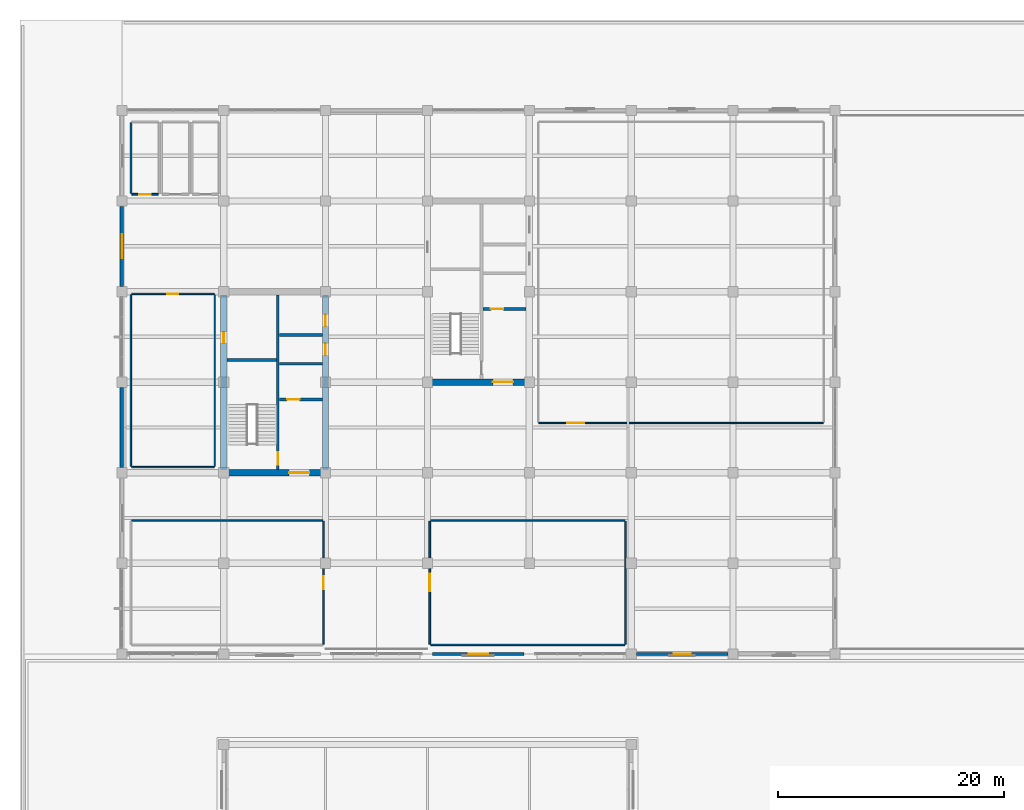
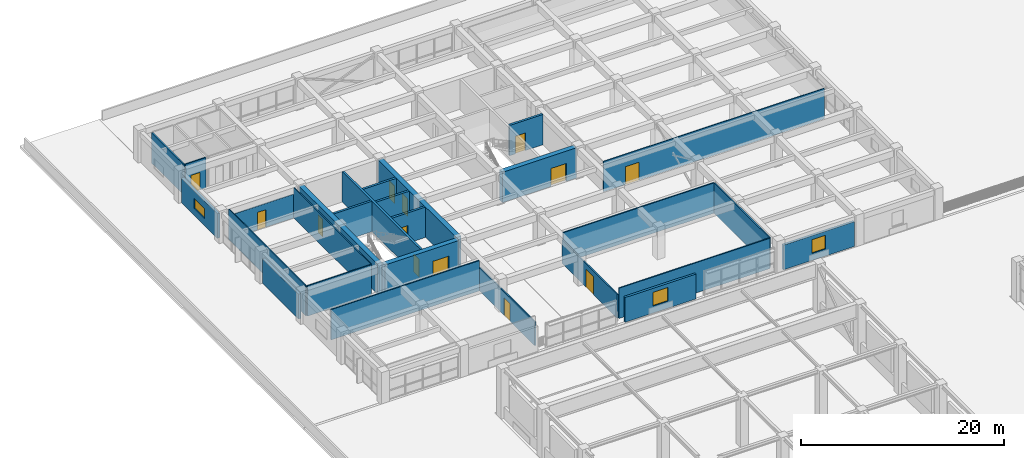
# One storey, part 20 of 34: 27 walls, 13 doors, 3 windows, 16 openings.
"""IFC4 building model written with IfcOpenShell, lengths in metres."""

import ifcopenshell
import ifcopenshell.guid

model = None  # the IFC model being written
_history = None  # IfcOwnerHistory: only IFC2X3 demands one
_inside = {}  # id of a spatial element -> (the spatial element, [elements in it])
_under = {}  # id of a project, library or spatial element -> (it, [spatial elements below it])
_declared = {}  # id of a project -> (the project, [libraries it declares])
_typed = {}  # id of a type object -> (the type object, [elements of that type])
_made_of = {}  # id of a material, layer set ... -> (it, [elements and type objects made of it])


def new_model(schema):
    """Start an empty IFC model of exactly this schema.

    Asked for "IFC4X3", IfcOpenShell would pick the latest addendum, in which some entities
    have other attributes; the version numbers below select the first issue.
    IFC2X3 requires an IfcOwnerHistory on every rooted entity: one is made here for all.
    """
    global model, _history
    if schema == "IFC4X3":
        model = ifcopenshell.file(schema_version=(4, 3, 0, 0))
    else:
        model = ifcopenshell.file(schema=schema)
    _inside.clear()
    _under.clear()
    _declared.clear()
    _typed.clear()
    _made_of.clear()
    _history = None
    if model.schema == "IFC2X3":
        org = make("IfcOrganization", Name="unknown")
        user = make(
            "IfcPersonAndOrganization",
            ThePerson=make("IfcPerson", FamilyName="unknown"),
            TheOrganization=org,
        )
        app = make(
            "IfcApplication",
            ApplicationDeveloper=org,
            Version="unknown",
            ApplicationFullName="unknown",
            ApplicationIdentifier="unknown",
        )
        _history = make(
            "IfcOwnerHistory",
            OwningUser=user,
            OwningApplication=app,
            ChangeAction="ADDED",
            CreationDate=0,
        )
    return model


def make(cls, **values):
    """One entity of the class cls with the attributes given. An attribute that is None is left unset."""
    return model.create_entity(
        cls, **{name: value for name, value in values.items() if value is not None}
    )


def rooted(cls, **values):
    """An entity with a GlobalId (a new one), such as an element, a storey or a relation."""
    return make(cls, GlobalId=ifcopenshell.guid.new(), OwnerHistory=_history, **values)


def si_unit(unit_type, name, prefix=None):
    """IfcSIUnit, for example si_unit("LENGTHUNIT", "METRE", prefix="MILLI")."""
    return make("IfcSIUnit", UnitType=unit_type, Prefix=prefix, Name=name)


def assignment(units):
    """IfcUnitAssignment: the units of a project."""
    return None if units is None else make("IfcUnitAssignment", Units=units)


def point(xyz):
    """IfcCartesianPoint."""
    return None if xyz is None else make("IfcCartesianPoint", Coordinates=xyz)


def direction(xyz):
    """IfcDirection."""
    return None if xyz is None else make("IfcDirection", DirectionRatios=xyz)


def frame(location, z_axis=None, x_axis=None):
    """IfcAxis2Placement3D, a coordinate frame: its origin and axes. An axis left out is left unset."""
    return make(
        "IfcAxis2Placement3D",
        Location=point(location),
        Axis=direction(z_axis),
        RefDirection=direction(x_axis),
    )


def frame_2d(location, x_axis=None):
    """IfcAxis2Placement2D, a coordinate frame in the plane: its origin and x axis."""
    return make(
        "IfcAxis2Placement2D", Location=point(location), RefDirection=direction(x_axis)
    )


def origin():
    """The frame at (0, 0, 0) with its axes left unset."""
    return frame((0.0, 0.0, 0.0))


def place(relative_to, where):
    """IfcLocalPlacement: puts the frame where relative to a parent placement (None: the world)."""
    return make(
        "IfcLocalPlacement", PlacementRelTo=relative_to, RelativePlacement=where
    )


def context(
    kind, dimensions, precision=None, world=None, true_north=None, identifier=None
):
    """IfcGeometricRepresentationContext, for example the 3D "Model" context."""
    return make(
        "IfcGeometricRepresentationContext",
        ContextIdentifier=identifier,
        ContextType=kind,
        CoordinateSpaceDimension=dimensions,
        Precision=precision,
        WorldCoordinateSystem=world,
        TrueNorth=true_north,
    )


def subcontext(parent, identifier, kind, view, scale=None):
    """IfcGeometricRepresentationSubContext, for example "Body" below "Model"."""
    return make(
        "IfcGeometricRepresentationSubContext",
        ContextIdentifier=identifier,
        ContextType=kind,
        ParentContext=parent,
        TargetScale=scale,
        TargetView=view,
    )


def project(units=None, contexts=None):
    """IfcProject with its units and contexts."""
    return rooted(
        "IfcProject",
        Name="project",
        RepresentationContexts=contexts,
        UnitsInContext=assignment(units),
    )


def spatial(cls, under=None, at=None, **own):
    """A site, building, storey or space (cls), placed at a placement, below another one or the project."""
    s = rooted(cls, ObjectPlacement=at, **own)
    if under is not None:
        _under.setdefault(under.id(), (under, []))[1].append(s)
    return s


def profile(cls, at=None, kind="AREA", **sizes):
    """A parametric profile (cls). Its sizes go by their IFC names, for example OverallWidth=200.0."""
    return make(cls, ProfileType=kind, Position=at, **sizes)


def rectangle(**sizes):
    """IfcRectangleProfileDef."""
    return profile("IfcRectangleProfileDef", **sizes)


def extrude(swept, where, along, depth):
    """IfcExtrudedAreaSolid: the profile swept, set in the frame where, extruded along a direction by depth."""
    return make(
        "IfcExtrudedAreaSolid",
        SweptArea=swept,
        Position=where,
        ExtrudedDirection=direction(along),
        Depth=depth,
    )


def shape(context_of_items, identifier, shape_type, items):
    """IfcShapeRepresentation: the items that make up one representation, for example the "Body"."""
    return make(
        "IfcShapeRepresentation",
        ContextOfItems=context_of_items,
        RepresentationIdentifier=identifier,
        RepresentationType=shape_type,
        Items=items,
    )


def material(Name=None, Category=None):
    """IfcMaterial."""
    return make("IfcMaterial", Name=Name, Category=Category)


def layer(
    of_material, thickness, ventilated=None, Name=None, Category=None, Priority=None
):
    """IfcMaterialLayer: one layer of a wall or slab, of a material (None: an air gap)."""
    return make(
        "IfcMaterialLayer",
        Material=of_material,
        LayerThickness=thickness,
        IsVentilated=ventilated,
        Name=Name,
        Category=Category,
        Priority=Priority,
    )


def layer_set(layers, Name=None):
    """IfcMaterialLayerSet."""
    return make("IfcMaterialLayerSet", MaterialLayers=layers, LayerSetName=Name)


def made_of(thing, what):
    """Note that an element or type object is made of a material, layer set ...; save() writes the relation."""
    if what is not None:
        _made_of.setdefault(what.id(), (what, []))[1].append(thing)
    return thing


def type_object(cls, material=None, **own):
    """A type object (cls), such as IfcWallType, which elements share."""
    return made_of(rooted(cls, **own), material)


def element(
    cls,
    number,
    at=None,
    inside=None,
    cuts=None,
    type_object=None,
    material=None,
    context=None,
    identifier="Body",
    shape_type=None,
    held_by="IfcProductDefinitionShape",
    body=None,
    shapes=None,
    **own,
):
    """One element of the class cls, such as IfcWall. Its Tag is "e" and its number.

    at: its placement. inside: the storey or other place that contains it. cuts: it is an
    opening in that element (IfcRelVoidsElement). A single representation is given by context,
    identifier, shape_type and body (its items); several are given by shapes. held_by: the class
    of the entity that holds the representations. save() writes the other relations.
    """
    e = rooted(cls, Tag="e%d" % number, ObjectPlacement=at, **own)
    if body is not None:
        shapes = [shape(context, identifier, shape_type, body)]
    if shapes is not None:
        e.Representation = make(held_by, Representations=shapes)
    if inside is not None:
        _inside.setdefault(inside.id(), (inside, []))[1].append(e)
    if cuts is not None:
        rooted(
            "IfcRelVoidsElement", RelatingBuildingElement=cuts, RelatedOpeningElement=e
        )
    if type_object is not None:
        _typed.setdefault(type_object.id(), (type_object, []))[1].append(e)
    return made_of(e, material)


def fill(opening, filler):
    """IfcRelFillsElement: the door or window that sits in an opening."""
    return rooted(
        "IfcRelFillsElement",
        RelatingOpeningElement=opening,
        RelatedBuildingElement=filler,
    )


def aggregate(whole, parts):
    """IfcRelAggregates: a whole, such as a stair, and the parts it consists of."""
    return rooted("IfcRelAggregates", RelatingObject=whole, RelatedObjects=parts)


def save(model, path):
    """Write the relations noted so far, then the file.

    IfcRelAggregates (storeys below a building ...), IfcRelContainedInSpatialStructure (elements
    in a storey), IfcRelDefinesByType, IfcRelAssociatesMaterial and IfcRelDeclares: one each for
    every whole, place, type object, material and project.
    """
    for whole, parts in _under.values():
        aggregate(whole, parts)
    for where, things in _inside.values():
        rooted(
            "IfcRelContainedInSpatialStructure",
            RelatedElements=things,
            RelatingStructure=where,
        )
    for kind, things in _typed.values():
        rooted("IfcRelDefinesByType", RelatedObjects=things, RelatingType=kind)
    for what, things in _made_of.values():
        rooted("IfcRelAssociatesMaterial", RelatedObjects=things, RelatingMaterial=what)
    for by, libraries in _declared.values():
        rooted("IfcRelDeclares", RelatingContext=by, RelatedDefinitions=libraries)
    model.write(path)


model = new_model("IFC4")

# Units and contexts
model_context = context("Model", 3, precision=1e-05, world=origin(), true_north=direction((0.0, 1.0)))
body_context = subcontext(model_context, "Body", "Model", "MODEL_VIEW")
ifc_project = project(units=[si_unit("LENGTHUNIT", "METRE"), si_unit("AREAUNIT", "SQUARE_METRE"), si_unit("VOLUMEUNIT", "CUBIC_METRE"), si_unit("PLANEANGLEUNIT", "RADIAN"), si_unit("MASSUNIT", "GRAM", prefix="KILO")], contexts=[model_context])

# Site, building, storey
site_placement = place(None, origin())
site = spatial("IfcSite", under=ifc_project, at=site_placement, CompositionType="ELEMENT")
building_placement = place(site_placement, origin())
building = spatial("IfcBuilding", under=site, at=building_placement, Name="Zaverband Oceanarium and Marine Research Institute", CompositionType="ELEMENT")
storey_placement = place(building_placement, frame((0.0, 0.0, 18.0)))
storey = spatial("IfcBuildingStorey", under=building, at=storey_placement, Name="L04", CompositionType="ELEMENT", Elevation=18.0)

# Wall, opening, door
ifc_material_1 = material(Name="Concrete C50/60", Category="concrete")
ifc_layer_1 = layer(ifc_material_1, 0.550048828125, Name="Concrete C50/60")
ifc_layer_set_1 = layer_set([ifc_layer_1], Name="Concrete C50/60")
wall_type_1 = type_object("IfcWallType", Name="CW-01", PredefinedType="SHEAR", material=ifc_layer_set_1)
wall_1_placement = place(storey_placement, frame((18.27490234375, 80.0, 0.0), z_axis=(0.0, 0.0, 1.0), x_axis=(1.0, 0.0, 0.0)))
wall_1 = element("IfcWall", 1, at=wall_1_placement, inside=storey, type_object=wall_type_1, Name="Structural shear wall CW-01", PredefinedType="SHEAR", context=body_context, shape_type="SweptSolid", body=[
    extrude(rectangle(XDim=8.4501953125, YDim=0.550048828125, at=frame_2d((4.22509765625, 0.0))), origin(), (0.0, 0.0, 1.0), 3.64990234375),
])
opening_1_placement = place(wall_1_placement, frame((5.5, 0.0, 0.0)))
opening_1 = element("IfcOpeningElement", 2, at=opening_1_placement, cuts=wall_1, Name="Opening FD-02", PredefinedType="OPENING", context=body_context, shape_type="SweptSolid", body=[
    extrude(rectangle(XDim=1.800048828125, YDim=2.179931640625, at=frame_2d((0.89990234375, 1.08984375))), frame((0.0, 0.287109375, 0.0), z_axis=(0.0, -1.0, 0.0), x_axis=(1.0, 0.0, 0.0)), (0.0, 0.0, 1.0), 0.573974609375),
])
ifc_material_2 = material(Name="Steel S355", Category="steel")
door_type_1 = type_object("IfcDoorType", Name="FD-02", OperationType="DOUBLE_DOOR_SINGLE_SWING", PredefinedType="DOOR", material=ifc_material_2)
door_1_placement = place(opening_1_placement, origin())
door_1 = element("IfcDoor", 3, at=door_1_placement, inside=storey, type_object=door_type_1, Name="Protected lobby double fire door FD-02", OperationType="DOUBLE_DOOR_SINGLE_SWING", OverallHeight=2.179931640625, OverallWidth=1.800048828125, PredefinedType="DOOR", context=body_context, shape_type="SweptSolid", body=[
    extrude(rectangle(XDim=1.800048828125, YDim=2.179931640625, at=frame_2d((0.89990234375, 1.08984375))), frame((0.0, 0.02490234375, 0.0), z_axis=(0.0, -1.0, 0.0), x_axis=(1.0, 0.0, 0.0)), (0.0, 0.0, 1.0), 0.050048828125),
])
fill(opening_1, door_1)

wall_2_placement = place(storey_placement, frame((18.0, 80.27490234375, 0.0), z_axis=(0.0, 0.0, 1.0), x_axis=(0.0, 1.0, 0.0)))
wall_2 = element("IfcWall", 4, at=wall_2_placement, inside=storey, type_object=wall_type_1, Name="Structural shear wall CW-01", PredefinedType="SHEAR", context=body_context, shape_type="SweptSolid", body=[
    extrude(rectangle(XDim=15.4501953125, YDim=0.550048828125, at=frame_2d((7.72509765625, 0.0))), origin(), (0.0, 0.0, 1.0), 3.64990234375),
])
opening_2_placement = place(wall_2_placement, frame((11.199951171875, 0.0, 0.0)))
opening_2 = element("IfcOpeningElement", 5, at=opening_2_placement, cuts=wall_2, Name="Opening FD-03", PredefinedType="OPENING", context=body_context, shape_type="SweptSolid", body=[
    extrude(rectangle(XDim=0.949951171875, YDim=2.10009765625, at=frame_2d((0.47509765625, 1.050048828125))), frame((0.0, 0.287109375, 0.0), z_axis=(0.0, -1.0, 0.0), x_axis=(1.0, 0.0, 0.0)), (0.0, 0.0, 1.0), 0.573974609375),
])
door_type_2 = type_object("IfcDoorType", Name="FD-03", OperationType="NOTDEFINED", PredefinedType="DOOR", material=ifc_material_2)
door_2_placement = place(opening_2_placement, origin())
door_2 = element("IfcDoor", 6, at=door_2_placement, inside=storey, type_object=door_type_2, Name="Service riser access fire door FD-03", OperationType="SINGLE_SWING_RIGHT", OverallHeight=2.10009765625, OverallWidth=0.949951171875, PredefinedType="DOOR", context=body_context, shape_type="SweptSolid", body=[
    extrude(rectangle(XDim=0.949951171875, YDim=2.10009765625, at=frame_2d((0.47509765625, 1.050048828125))), frame((0.0, 0.02490234375, 0.0), z_axis=(0.0, -1.0, 0.0), x_axis=(1.0, 0.0, 0.0)), (0.0, 0.0, 1.0), 0.050048828125),
])
fill(opening_2, door_2)

# Wall, openings, doors
wall_3_placement = place(storey_placement, frame((27.0, 80.27490234375, 0.0), z_axis=(0.0, 0.0, 1.0), x_axis=(0.0, 1.0, 0.0)))
wall_3 = element("IfcWall", 7, at=wall_3_placement, inside=storey, type_object=wall_type_1, Name="Structural shear wall CW-01", PredefinedType="SHEAR", context=body_context, shape_type="SweptSolid", body=[
    extrude(rectangle(XDim=15.4501953125, YDim=0.550048828125, at=frame_2d((7.72509765625, 0.0))), origin(), (0.0, 0.0, 1.0), 3.64990234375),
])
opening_3_placement = place(wall_3_placement, frame((10.10009765625, 0.0, 0.0)))
opening_3 = element("IfcOpeningElement", 8, at=opening_3_placement, cuts=wall_3, Name="Opening LD-02", PredefinedType="OPENING", context=body_context, shape_type="SweptSolid", body=[
    extrude(rectangle(XDim=1.050048828125, YDim=2.1201171875, at=frame_2d((0.52490234375, 1.06005859375))), frame((0.0, 0.287109375, 0.0), z_axis=(0.0, -1.0, 0.0), x_axis=(1.0, 0.0, 0.0)), (0.0, 0.0, 1.0), 0.573974609375),
])
opening_4_placement = place(wall_3_placement, frame((12.64990234375, 0.0, 0.0)))
opening_4 = element("IfcOpeningElement", 9, at=opening_4_placement, cuts=wall_3, Name="Opening LD-02", PredefinedType="OPENING", context=body_context, shape_type="SweptSolid", body=[
    extrude(rectangle(XDim=1.050048828125, YDim=2.1201171875, at=frame_2d((0.52490234375, 1.06005859375))), frame((0.0, 0.287109375, 0.0), z_axis=(0.0, -1.0, 0.0), x_axis=(1.0, 0.0, 0.0)), (0.0, 0.0, 1.0), 0.573974609375),
])
door_type_3 = type_object("IfcDoorType", Name="LD-02", OperationType="DOUBLE_DOOR_SLIDING", PredefinedType="DOOR", material=ifc_material_2)
door_3_placement = place(opening_3_placement, origin())
door_3 = element("IfcDoor", 10, at=door_3_placement, inside=storey, type_object=door_type_3, Name="Passenger lift sliding landing door LD-02", OperationType="DOUBLE_DOOR_SLIDING", OverallHeight=2.1201171875, OverallWidth=1.050048828125, PredefinedType="DOOR", context=body_context, shape_type="SweptSolid", body=[
    extrude(rectangle(XDim=1.050048828125, YDim=2.1201171875, at=frame_2d((0.52490234375, 1.06005859375))), frame((0.0, 0.02490234375, 0.0), z_axis=(0.0, -1.0, 0.0), x_axis=(1.0, 0.0, 0.0)), (0.0, 0.0, 1.0), 0.050048828125),
])
fill(opening_3, door_3)
door_4_placement = place(opening_4_placement, origin())
door_4 = element("IfcDoor", 11, at=door_4_placement, inside=storey, type_object=door_type_3, Name="Passenger lift sliding landing door LD-02", OperationType="DOUBLE_DOOR_SLIDING", OverallHeight=2.1201171875, OverallWidth=1.050048828125, PredefinedType="DOOR", context=body_context, shape_type="SweptSolid", body=[
    extrude(rectangle(XDim=1.050048828125, YDim=2.1201171875, at=frame_2d((0.52490234375, 1.06005859375))), frame((0.0, 0.02490234375, 0.0), z_axis=(0.0, -1.0, 0.0), x_axis=(1.0, 0.0, 0.0)), (0.0, 0.0, 1.0), 0.050048828125),
])
fill(opening_4, door_4)

# Wall, opening, door
wall_4_placement = place(storey_placement, frame((36.27490234375, 88.0, 0.0), z_axis=(0.0, 0.0, 1.0), x_axis=(1.0, 0.0, 0.0)))
wall_4 = element("IfcWall", 12, at=wall_4_placement, inside=storey, type_object=wall_type_1, Name="Structural shear wall CW-01", PredefinedType="SHEAR", context=body_context, shape_type="SweptSolid", body=[
    extrude(rectangle(XDim=8.4501953125, YDim=0.550048828125, at=frame_2d((4.22509765625, 0.0))), origin(), (0.0, 0.0, 1.0), 3.64990234375),
])
opening_5_placement = place(wall_4_placement, frame((5.5, 0.0, 0.0)))
opening_5 = element("IfcOpeningElement", 13, at=opening_5_placement, cuts=wall_4, Name="Opening FD-02", PredefinedType="OPENING", context=body_context, shape_type="SweptSolid", body=[
    extrude(rectangle(XDim=1.800048828125, YDim=2.179931640625, at=frame_2d((0.89990234375, 1.08984375))), frame((0.0, 0.287109375, 0.0), z_axis=(0.0, -1.0, 0.0), x_axis=(1.0, 0.0, 0.0)), (0.0, 0.0, 1.0), 0.573974609375),
])
door_5_placement = place(opening_5_placement, origin())
door_5 = element("IfcDoor", 14, at=door_5_placement, inside=storey, type_object=door_type_1, Name="Protected lobby double fire door FD-02", OperationType="DOUBLE_DOOR_SINGLE_SWING", OverallHeight=2.179931640625, OverallWidth=1.800048828125, PredefinedType="DOOR", context=body_context, shape_type="SweptSolid", body=[
    extrude(rectangle(XDim=1.800048828125, YDim=2.179931640625, at=frame_2d((0.89990234375, 1.08984375))), frame((0.0, 0.02490234375, 0.0), z_axis=(0.0, -1.0, 0.0), x_axis=(1.0, 0.0, 0.0)), (0.0, 0.0, 1.0), 0.050048828125),
])
fill(opening_5, door_5)

# Wall, opening, window
ifc_material_3 = material(Name="Concrete C40/50 precast", Category="concrete")
ifc_layer_2 = layer(ifc_material_3, 0.264892578125, Name="Concrete C40/50 precast")
ifc_layer_set_2 = layer_set([ifc_layer_2], Name="Concrete C40/50 precast")
wall_type_2 = type_object("IfcWallType", Name="EW-265", PredefinedType="STANDARD", material=ifc_layer_set_2)
wall_5_placement = place(storey_placement, frame((36.455078125, 64.0, 0.0), z_axis=(0.0, 0.0, 1.0), x_axis=(1.0, 0.0, 0.0)))
wall_5 = element("IfcWall", 15, at=wall_5_placement, inside=storey, type_object=wall_type_2, Name="Exterior infill wall EW-265", PredefinedType="STANDARD", context=body_context, shape_type="SweptSolid", body=[
    extrude(rectangle(XDim=8.08984375, YDim=0.264892578125, at=frame_2d((4.044921875, 0.0))), origin(), (0.0, 0.0, 1.0), 2.97998046875),
])
opening_6_placement = place(wall_5_placement, frame((3.195068359375, 0.0, 0.85009765625)))
opening_6 = element("IfcOpeningElement", 16, at=opening_6_placement, cuts=wall_5, Name="Opening WN-1700x1650", PredefinedType="OPENING", context=body_context, shape_type="SweptSolid", body=[
    extrude(rectangle(XDim=1.699951171875, YDim=1.64990234375, at=frame_2d((0.85009765625, 0.824951171875))), frame((0.0, 0.14453125, 0.0), z_axis=(0.0, -1.0, 0.0), x_axis=(1.0, 0.0, 0.0)), (0.0, 0.0, 1.0), 0.288818359375),
])
ifc_material_4 = material(Name="Thermally broken anodized aluminium and solar-control glass", Category="aluminium")
window_type_1 = type_object("IfcWindowType", Name="WN-1700x1650", PartitioningType="SINGLE_PANEL", PredefinedType="WINDOW", material=ifc_material_4)
window_1_placement = place(opening_6_placement, origin())
window_1 = element("IfcWindow", 17, at=window_1_placement, inside=storey, type_object=window_type_1, Name="Fixed / casement exterior window WN-1700x1650", OverallHeight=1.64990234375, OverallWidth=1.699951171875, PartitioningType="SINGLE_PANEL", PredefinedType="WINDOW", context=body_context, shape_type="SweptSolid", body=[
    extrude(rectangle(XDim=1.699951171875, YDim=1.64990234375, at=frame_2d((0.85009765625, 0.824951171875))), frame((0.0, 0.030029296875, 0.0), z_axis=(0.0, -1.0, 0.0), x_axis=(1.0, 0.0, 0.0)), (0.0, 0.0, 1.0), 0.06005859375),
])
fill(opening_6, window_1)

wall_6_placement = place(storey_placement, frame((54.455078125, 64.0, 0.0), z_axis=(0.0, 0.0, 1.0), x_axis=(1.0, 0.0, 0.0)))
wall_6 = element("IfcWall", 18, at=wall_6_placement, inside=storey, type_object=wall_type_2, Name="Exterior infill wall EW-265", PredefinedType="STANDARD", context=body_context, shape_type="SweptSolid", body=[
    extrude(rectangle(XDim=8.08984375, YDim=0.264892578125, at=frame_2d((4.044921875, 0.0))), origin(), (0.0, 0.0, 1.0), 2.97998046875),
])
opening_7_placement = place(wall_6_placement, frame((3.294921875, 0.0, 0.85009765625)))
opening_7 = element("IfcOpeningElement", 19, at=opening_7_placement, cuts=wall_6, Name="Opening WN-1500x1650", PredefinedType="OPENING", context=body_context, shape_type="SweptSolid", body=[
    extrude(rectangle(XDim=1.5, YDim=1.64990234375, at=frame_2d((0.75, 0.824951171875))), frame((0.0, 0.14453125, 0.0), z_axis=(0.0, -1.0, 0.0), x_axis=(1.0, 0.0, 0.0)), (0.0, 0.0, 1.0), 0.288818359375),
])
window_type_2 = type_object("IfcWindowType", Name="WN-1500x1650", PartitioningType="SINGLE_PANEL", PredefinedType="WINDOW", material=ifc_material_4)
window_2_placement = place(opening_7_placement, origin())
window_2 = element("IfcWindow", 20, at=window_2_placement, inside=storey, type_object=window_type_2, Name="Fixed / casement exterior window WN-1500x1650", OverallHeight=1.64990234375, OverallWidth=1.5, PartitioningType="SINGLE_PANEL", PredefinedType="WINDOW", context=body_context, shape_type="SweptSolid", body=[
    extrude(rectangle(XDim=1.5, YDim=1.64990234375, at=frame_2d((0.75, 0.824951171875))), frame((0.0, 0.030029296875, 0.0), z_axis=(0.0, -1.0, 0.0), x_axis=(1.0, 0.0, 0.0)), (0.0, 0.0, 1.0), 0.06005859375),
])
fill(opening_7, window_2)

# Wall
ifc_layer_3 = layer(ifc_material_3, 0.2900390625, Name="Concrete C40/50 precast")
ifc_layer_set_3 = layer_set([ifc_layer_3], Name="Concrete C40/50 precast")
wall_type_3 = type_object("IfcWallType", Name="EW-290", PredefinedType="STANDARD", material=ifc_layer_set_3)
wall_7_placement = place(storey_placement, frame((9.0, 80.455078125, 0.0), z_axis=(0.0, 0.0, 1.0), x_axis=(0.0, 1.0, 0.0)))
element("IfcWall", 21, at=wall_7_placement, inside=storey, type_object=wall_type_3, Name="Exterior infill wall EW-290", PredefinedType="STANDARD", context=body_context, shape_type="SweptSolid", body=[
    extrude(rectangle(XDim=7.08984375, YDim=0.2900390625, at=frame_2d((3.544921875, 0.0))), origin(), (0.0, 0.0, 1.0), 2.97998046875),
])

# Wall, opening, window
wall_8_placement = place(storey_placement, frame((9.0, 96.455078125, 0.0), z_axis=(0.0, 0.0, 1.0), x_axis=(0.0, 1.0, 0.0)))
wall_8 = element("IfcWall", 22, at=wall_8_placement, inside=storey, type_object=wall_type_3, Name="Exterior infill wall EW-290", PredefinedType="STANDARD", context=body_context, shape_type="SweptSolid", body=[
    extrude(rectangle(XDim=7.08984375, YDim=0.2900390625, at=frame_2d((3.544921875, 0.0))), origin(), (0.0, 0.0, 1.0), 2.97998046875),
])
opening_8_placement = place(wall_8_placement, frame((2.4951171875, 0.0, 0.85009765625)))
opening_8 = element("IfcOpeningElement", 23, at=opening_8_placement, cuts=wall_8, Name="Opening WN-2100x1200", PredefinedType="OPENING", context=body_context, shape_type="SweptSolid", body=[
    extrude(rectangle(XDim=2.10009765625, YDim=1.199951171875, at=frame_2d((1.050048828125, 0.60009765625))), frame((0.0, 0.156982421875, 0.0), z_axis=(0.0, -1.0, 0.0), x_axis=(1.0, 0.0, 0.0)), (0.0, 0.0, 1.0), 0.31396484375),
])
window_type_3 = type_object("IfcWindowType", Name="WN-2100x1200", PartitioningType="SINGLE_PANEL", PredefinedType="WINDOW", material=ifc_material_4)
window_3_placement = place(opening_8_placement, origin())
window_3 = element("IfcWindow", 24, at=window_3_placement, inside=storey, type_object=window_type_3, Name="Fixed / casement exterior window WN-2100x1200", OverallHeight=1.199951171875, OverallWidth=2.10009765625, PartitioningType="SINGLE_PANEL", PredefinedType="WINDOW", context=body_context, shape_type="SweptSolid", body=[
    extrude(rectangle(XDim=2.10009765625, YDim=1.199951171875, at=frame_2d((1.050048828125, 0.60009765625))), frame((0.0, 0.030029296875, 0.0), z_axis=(0.0, -1.0, 0.0), x_axis=(1.0, 0.0, 0.0)), (0.0, 0.0, 1.0), 0.06005859375),
])
fill(opening_8, window_3)

# Wall, opening, door
ifc_material_5 = material(Name="Framed fire-rated glass laboratory partition", Category="glass")
ifc_layer_4 = layer(ifc_material_5, 0.10009765625, Name="Framed fire-rated glass laboratory partition")
ifc_layer_set_4 = layer_set([ifc_layer_4], Name="Framed fire-rated glass laboratory partition")
wall_type_4 = type_object("IfcWallType", Name="PT-100-GL", PredefinedType="PARTITIONING", material=ifc_layer_set_4)
wall_9_placement = place(storey_placement, frame((45.85009765625, 84.39990234375, 0.0), z_axis=(0.0, 0.0, 1.0), x_axis=(1.0, 0.0, 0.0)))
wall_9 = element("IfcWall", 25, at=wall_9_placement, inside=storey, type_object=wall_type_4, Name="Internal partition PT-100-GL", PredefinedType="PARTITIONING", context=body_context, shape_type="SweptSolid", body=[
    extrude(rectangle(XDim=25.099853515625, YDim=0.10009765625, at=frame_2d((12.5498046875, 0.0))), origin(), (0.0, 0.0, 1.0), 3.64990234375),
])
opening_9_placement = place(wall_9_placement, frame((2.5, 0.0, 0.0)))
opening_9 = element("IfcOpeningElement", 26, at=opening_9_placement, cuts=wall_9, Name="Opening ID-1520x2150", PredefinedType="OPENING", context=body_context, shape_type="SweptSolid", body=[
    extrude(rectangle(XDim=1.52001953125, YDim=2.14990234375, at=frame_2d((0.760009765625, 1.074951171875))), frame((0.0, 0.06201171875, 0.0), z_axis=(0.0, -1.0, 0.0), x_axis=(1.0, 0.0, 0.0)), (0.0, 0.0, 1.0), 0.1240234375),
])
ifc_material_6 = material(Name="Hardwood-veneered acoustic timber", Category="wood")
door_type_4 = type_object("IfcDoorType", Name="ID-1520x2150", OperationType="DOUBLE_DOOR_SINGLE_SWING", PredefinedType="DOOR", material=ifc_material_6)
door_6_placement = place(opening_9_placement, origin())
door_6 = element("IfcDoor", 27, at=door_6_placement, inside=storey, type_object=door_type_4, Name="Seminar double swing door ID-1520x2150", OperationType="DOUBLE_DOOR_SINGLE_SWING", OverallHeight=2.14990234375, OverallWidth=1.52001953125, PredefinedType="DOOR", context=body_context, shape_type="SweptSolid", body=[
    extrude(rectangle(XDim=1.52001953125, YDim=2.14990234375, at=frame_2d((0.760009765625, 1.074951171875))), frame((0.0, 0.02490234375, 0.0), z_axis=(0.0, -1.0, 0.0), x_axis=(1.0, 0.0, 0.0)), (0.0, 0.0, 1.0), 0.050048828125),
])
fill(opening_9, door_6)

# Wall
ifc_material_7 = material(Name="Insulated metal-stud office partition")
ifc_layer_5 = layer(ifc_material_7, 0.1201171875, Name="Insulated metal-stud office partition")
ifc_layer_set_5 = layer_set([ifc_layer_5], Name="Insulated metal-stud office partition")
wall_type_5 = type_object("IfcWallType", Name="PT-120-OF", PredefinedType="PARTITIONING", material=ifc_layer_set_5)
wall_10_placement = place(storey_placement, frame((9.860107421875, 80.5, 0.0), z_axis=(0.0, 0.0, 1.0), x_axis=(1.0, 0.0, 0.0)))
element("IfcWall", 28, at=wall_10_placement, inside=storey, type_object=wall_type_5, Name="Internal partition PT-120-OF", PredefinedType="PARTITIONING", context=body_context, shape_type="SweptSolid", body=[
    extrude(rectangle(XDim=7.27978515625, YDim=0.1201171875, at=frame_2d((3.639892578125, 0.0))), origin(), (0.0, 0.0, 1.0), 3.64990234375),
])

# Wall, opening, door
wall_11_placement = place(storey_placement, frame((9.860107421875, 95.800048828125, 0.0), z_axis=(0.0, 0.0, 1.0), x_axis=(1.0, 0.0, 0.0)))
wall_11 = element("IfcWall", 29, at=wall_11_placement, inside=storey, type_object=wall_type_5, Name="Internal partition PT-120-OF", PredefinedType="PARTITIONING", context=body_context, shape_type="SweptSolid", body=[
    extrude(rectangle(XDim=7.27978515625, YDim=0.1201171875, at=frame_2d((3.639892578125, 0.0))), origin(), (0.0, 0.0, 1.0), 2.85009765625),
])
opening_10_placement = place(wall_11_placement, frame((3.159912109375, 0.0, 0.0)))
opening_10 = element("IfcOpeningElement", 30, at=opening_10_placement, cuts=wall_11, Name="Opening ID-960x2100", PredefinedType="OPENING", context=body_context, shape_type="SweptSolid", body=[
    extrude(rectangle(XDim=0.9599609375, YDim=2.10009765625, at=frame_2d((0.47998046875, 1.050048828125))), frame((0.0, 0.072021484375, 0.0), z_axis=(0.0, -1.0, 0.0), x_axis=(1.0, 0.0, 0.0)), (0.0, 0.0, 1.0), 0.14404296875),
])
door_type_5 = type_object("IfcDoorType", Name="ID-960x2100", OperationType="NOTDEFINED", PredefinedType="DOOR", material=ifc_material_6)
door_7_placement = place(opening_10_placement, origin())
door_7 = element("IfcDoor", 31, at=door_7_placement, inside=storey, type_object=door_type_5, Name="Research write-up office door ID-960x2100", OperationType="SINGLE_SWING_RIGHT", OverallHeight=2.10009765625, OverallWidth=0.9599609375, PredefinedType="DOOR", context=body_context, shape_type="SweptSolid", body=[
    extrude(rectangle(XDim=0.9599609375, YDim=2.10009765625, at=frame_2d((0.47998046875, 1.050048828125))), frame((0.0, 0.02490234375, 0.0), z_axis=(0.0, -1.0, 0.0), x_axis=(1.0, 0.0, 0.0)), (0.0, 0.0, 1.0), 0.050048828125),
])
fill(opening_10, door_7)

# Walls
for number, where, z_axis, x_axis, name in (
    (32, (9.800048828125, 80.56005859375, 0.0), (0.0, 0.0, 1.0), (0.0, 1.0, 0.0), "Internal partition PT-120-OF"),
    (33, (17.199951171875, 80.56005859375, 0.0), (0.0, 0.0, 1.0), (0.0, 1.0, 0.0), "Internal partition PT-120-OF"),
):
    element("IfcWall", number, at=place(storey_placement, frame(where, z_axis=z_axis, x_axis=x_axis)), inside=storey, type_object=wall_type_5, Name=name, PredefinedType="PARTITIONING", context=body_context, shape_type="SweptSolid", body=[
        extrude(rectangle(XDim=15.179931640625, YDim=0.1201171875, at=frame_2d((7.58984375, 0.0))), origin(), (0.0, 0.0, 1.0), 3.64990234375),
    ])
ifc_material_8 = material(Name="Archive fire-lined partition")
ifc_layer_6 = layer(ifc_material_8, 0.1298828125, Name="Archive fire-lined partition")
ifc_layer_set_6 = layer_set([ifc_layer_6], Name="Archive fire-lined partition")
wall_type_6 = type_object("IfcWallType", Name="PT-130-AR", PredefinedType="PARTITIONING", material=ifc_layer_set_6)
wall_12_placement = place(storey_placement, frame((9.864990234375, 75.800048828125, 0.0), z_axis=(0.0, 0.0, 1.0), x_axis=(1.0, 0.0, 0.0)))
element("IfcWall", 34, at=wall_12_placement, inside=storey, type_object=wall_type_6, Name="Internal partition PT-130-AR", PredefinedType="PARTITIONING", context=body_context, shape_type="SweptSolid", body=[
    extrude(rectangle(XDim=16.8701171875, YDim=0.1298828125, at=frame_2d((8.43505859375, 0.0))), origin(), (0.0, 0.0, 1.0), 3.64990234375),
])

# Wall, opening, door
wall_13_placement = place(storey_placement, frame((26.800048828125, 64.864990234375, 0.0), z_axis=(0.0, 0.0, 1.0), x_axis=(0.0, 1.0, 0.0)))
wall_13 = element("IfcWall", 35, at=wall_13_placement, inside=storey, type_object=wall_type_6, Name="Internal partition PT-130-AR", PredefinedType="PARTITIONING", context=body_context, shape_type="SweptSolid", body=[
    extrude(rectangle(XDim=10.8701171875, YDim=0.1298828125, at=frame_2d((5.43505859375, 0.0))), origin(), (0.0, 0.0, 1.0), 2.85009765625),
])
opening_11_placement = place(wall_13_placement, frame((4.860107421875, 0.0, 0.0)))
opening_11 = element("IfcOpeningElement", 36, at=opening_11_placement, cuts=wall_13, Name="Opening ID-1150x2120", PredefinedType="OPENING", context=body_context, shape_type="SweptSolid", body=[
    extrude(rectangle(XDim=1.14990234375, YDim=2.1201171875, at=frame_2d((0.574951171875, 1.06005859375))), frame((0.0, 0.076904296875, 0.0), z_axis=(0.0, -1.0, 0.0), x_axis=(1.0, 0.0, 0.0)), (0.0, 0.0, 1.0), 0.15380859375),
])
door_type_6 = type_object("IfcDoorType", Name="ID-1150x2120", OperationType="NOTDEFINED", PredefinedType="DOOR", material=ifc_material_6)
door_8_placement = place(opening_11_placement, origin())
door_8 = element("IfcDoor", 37, at=door_8_placement, inside=storey, type_object=door_type_6, Name="Library reading room door ID-1150x2120", OperationType="SINGLE_SWING_LEFT", OverallHeight=2.1201171875, OverallWidth=1.14990234375, PredefinedType="DOOR", context=body_context, shape_type="SweptSolid", body=[
    extrude(rectangle(XDim=1.14990234375, YDim=2.1201171875, at=frame_2d((0.574951171875, 1.06005859375))), frame((0.0, 0.02490234375, 0.0), z_axis=(0.0, -1.0, 0.0), x_axis=(1.0, 0.0, 0.0)), (0.0, 0.0, 1.0), 0.050048828125),
])
fill(opening_11, door_8)

# Walls
ifc_material_9 = material(Name="Acoustic classroom partition")
ifc_layer_7 = layer(ifc_material_9, 0.139892578125, Name="Acoustic classroom partition")
ifc_layer_set_7 = layer_set([ifc_layer_7], Name="Acoustic classroom partition")
wall_type_7 = type_object("IfcWallType", Name="PT-140-CL", PredefinedType="PARTITIONING", material=ifc_layer_set_7)
for number, where, z_axis, x_axis, name in (
    (38, (36.27001953125, 64.800048828125, 0.0), (0.0, 0.0, 1.0), (1.0, 0.0, 0.0), "Acoustic partition PT-140-CL"),
    (39, (36.27001953125, 75.800048828125, 0.0), (0.0, 0.0, 1.0), (1.0, 0.0, 0.0), "Acoustic partition PT-140-CL"),
):
    element("IfcWall", number, at=place(storey_placement, frame(where, z_axis=z_axis, x_axis=x_axis)), inside=storey, type_object=wall_type_7, Name=name, PredefinedType="PARTITIONING", context=body_context, shape_type="SweptSolid", body=[
        extrude(rectangle(XDim=17.159912109375, YDim=0.139892578125, at=frame_2d((8.580078125, 0.0))), origin(), (0.0, 0.0, 1.0), 3.64990234375),
    ])

# Wall, opening, door
wall_14_placement = place(storey_placement, frame((36.199951171875, 64.8701171875, 0.0), z_axis=(0.0, 0.0, 1.0), x_axis=(0.0, 1.0, 0.0)))
wall_14 = element("IfcWall", 40, at=wall_14_placement, inside=storey, type_object=wall_type_7, Name="Acoustic partition PT-140-CL", PredefinedType="PARTITIONING", context=body_context, shape_type="SweptSolid", body=[
    extrude(rectangle(XDim=10.85986328125, YDim=0.139892578125, at=frame_2d((5.429931640625, 0.0))), origin(), (0.0, 0.0, 1.0), 2.85009765625),
])
opening_12_placement = place(wall_14_placement, frame((4.669921875, 0.0, 0.0)))
opening_12 = element("IfcOpeningElement", 41, at=opening_12_placement, cuts=wall_14, Name="Opening ID-1520x2150", PredefinedType="OPENING", context=body_context, shape_type="SweptSolid", body=[
    extrude(rectangle(XDim=1.52001953125, YDim=2.14990234375, at=frame_2d((0.760009765625, 1.074951171875))), frame((0.0, 0.08203125, 0.0), z_axis=(0.0, -1.0, 0.0), x_axis=(1.0, 0.0, 0.0)), (0.0, 0.0, 1.0), 0.163818359375),
])
door_9_placement = place(opening_12_placement, origin())
door_9 = element("IfcDoor", 42, at=door_9_placement, inside=storey, type_object=door_type_4, Name="Seminar double swing door ID-1520x2150", OperationType="DOUBLE_DOOR_SINGLE_SWING", OverallHeight=2.14990234375, OverallWidth=1.52001953125, PredefinedType="DOOR", context=body_context, shape_type="SweptSolid", body=[
    extrude(rectangle(XDim=1.52001953125, YDim=2.14990234375, at=frame_2d((0.760009765625, 1.074951171875))), frame((0.0, 0.02490234375, 0.0), z_axis=(0.0, -1.0, 0.0), x_axis=(1.0, 0.0, 0.0)), (0.0, 0.0, 1.0), 0.050048828125),
])
fill(opening_12, door_9)

# Wall
wall_15_placement = place(storey_placement, frame((53.5, 64.8701171875, 0.0), z_axis=(0.0, 0.0, 1.0), x_axis=(0.0, 1.0, 0.0)))
element("IfcWall", 43, at=wall_15_placement, inside=storey, type_object=wall_type_7, Name="Acoustic partition PT-140-CL", PredefinedType="PARTITIONING", context=body_context, shape_type="SweptSolid", body=[
    extrude(rectangle(XDim=10.85986328125, YDim=0.139892578125, at=frame_2d((5.429931640625, 0.0))), origin(), (0.0, 0.0, 1.0), 3.64990234375),
])

# Wall, opening, door
ifc_material_10 = material(Name="Ceramic-tiled wet-room blockwork", Category="masonry")
ifc_layer_8 = layer(ifc_material_10, 0.14990234375, Name="Ceramic-tiled wet-room blockwork")
ifc_layer_set_8 = layer_set([ifc_layer_8], Name="Ceramic-tiled wet-room blockwork")
wall_type_8 = type_object("IfcWallType", Name="PT-150-WC", PredefinedType="PARTITIONING", material=ifc_layer_set_8)
wall_16_placement = place(storey_placement, frame((9.875, 104.60009765625, 0.0), z_axis=(0.0, 0.0, 1.0), x_axis=(1.0, 0.0, 0.0)))
wall_16 = element("IfcWall", 44, at=wall_16_placement, inside=storey, type_object=wall_type_8, Name="Internal partition PT-150-WC", PredefinedType="PARTITIONING", context=body_context, shape_type="SweptSolid", body=[
    extrude(rectangle(XDim=2.35009765625, YDim=0.14990234375, at=frame_2d((1.175048828125, 0.0))), origin(), (0.0, 0.0, 1.0), 3.64990234375),
])
opening_13_placement = place(wall_16_placement, frame((0.6650390625, 0.0, 0.0)))
opening_13 = element("IfcOpeningElement", 45, at=opening_13_placement, cuts=wall_16, Name="Opening ID-1020x2100", PredefinedType="OPENING", context=body_context, shape_type="SweptSolid", body=[
    extrude(rectangle(XDim=1.02001953125, YDim=2.10009765625, at=frame_2d((0.510009765625, 1.050048828125))), frame((0.0, 0.0869140625, 0.0), z_axis=(0.0, -1.0, 0.0), x_axis=(1.0, 0.0, 0.0)), (0.0, 0.0, 1.0), 0.173828125),
])
door_type_7 = type_object("IfcDoorType", Name="ID-1020x2100", OperationType="NOTDEFINED", PredefinedType="DOOR", material=ifc_material_6)
door_10_placement = place(opening_13_placement, frame((1.02001953125, 0.0, 0.0), z_axis=(0.0, 0.0, 1.0), x_axis=(-1.0, 0.0, 0.0)))
door_10 = element("IfcDoor", 46, at=door_10_placement, inside=storey, type_object=door_type_7, Name="Accessible WC outward-swing door ID-1020x2100", OperationType="SINGLE_SWING_LEFT", OverallHeight=2.10009765625, OverallWidth=1.02001953125, PredefinedType="DOOR", context=body_context, shape_type="SweptSolid", body=[
    extrude(rectangle(XDim=1.02001953125, YDim=2.10009765625, at=frame_2d((0.510009765625, 1.050048828125))), frame((0.0, 0.02490234375, 0.0), z_axis=(0.0, -1.0, 0.0), x_axis=(1.0, 0.0, 0.0)), (0.0, 0.0, 1.0), 0.050048828125),
])
fill(opening_13, door_10)

# Wall
wall_17_placement = place(storey_placement, frame((9.800048828125, 104.675048828125, 0.0), z_axis=(0.0, 0.0, 1.0), x_axis=(0.0, 1.0, 0.0)))
element("IfcWall", 47, at=wall_17_placement, inside=storey, type_object=wall_type_8, Name="Internal partition PT-150-WC", PredefinedType="PARTITIONING", context=body_context, shape_type="SweptSolid", body=[
    extrude(rectangle(XDim=6.25, YDim=0.14990234375, at=frame_2d((3.125, 0.0))), origin(), (0.0, 0.0, 1.0), 3.64990234375),
])

# Wall, opening, door
ifc_layer_9 = layer(ifc_material_1, 0.25, Name="Concrete C50/60")
ifc_layer_set_9 = layer_set([ifc_layer_9], Name="Concrete C50/60")
wall_type_9 = type_object("IfcWallType", Name="PW-CORE-250", PredefinedType="SOLIDWALL", material=ifc_layer_set_9)
wall_18_placement = place(storey_placement, frame((22.77490234375, 80.27490234375, 0.0), z_axis=(0.0, 0.0, 1.0), x_axis=(0.0, 1.0, 0.0)))
wall_18 = element("IfcWall", 48, at=wall_18_placement, inside=storey, type_object=wall_type_9, Name="Structural concrete wall PW-CORE-250", PredefinedType="SOLIDWALL", context=body_context, shape_type="SweptSolid", body=[
    extrude(rectangle(XDim=15.4501953125, YDim=0.25, at=frame_2d((7.72509765625, 0.0))), origin(), (0.0, 0.0, 1.0), 3.64990234375),
])
opening_14_placement = place(wall_18_placement, frame((0.449951171875, 0.0, 0.0)))
opening_14 = element("IfcOpeningElement", 49, at=opening_14_placement, cuts=wall_18, Name="Opening FD-01", PredefinedType="OPENING", context=body_context, shape_type="SweptSolid", body=[
    extrude(rectangle(XDim=1.10009765625, YDim=2.14990234375, at=frame_2d((0.550048828125, 1.074951171875))), frame((0.0, 0.136962890625, 0.0), z_axis=(0.0, -1.0, 0.0), x_axis=(1.0, 0.0, 0.0)), (0.0, 0.0, 1.0), 0.27392578125),
])
door_type_8 = type_object("IfcDoorType", Name="FD-01", OperationType="NOTDEFINED", PredefinedType="DOOR", material=ifc_material_2)
door_11_placement = place(opening_14_placement, origin())
door_11 = element("IfcDoor", 50, at=door_11_placement, inside=storey, type_object=door_type_8, Name="Core stair / lobby fire door FD-01", OperationType="SINGLE_SWING_LEFT", OverallHeight=2.14990234375, OverallWidth=1.10009765625, PredefinedType="DOOR", context=body_context, shape_type="SweptSolid", body=[
    extrude(rectangle(XDim=1.10009765625, YDim=2.14990234375, at=frame_2d((0.550048828125, 1.074951171875))), frame((0.0, 0.02490234375, 0.0), z_axis=(0.0, -1.0, 0.0), x_axis=(1.0, 0.0, 0.0)), (0.0, 0.0, 1.0), 0.050048828125),
])
fill(opening_14, door_11)

# Wall
wall_19_placement = place(storey_placement, frame((18.27490234375, 89.97509765625, 0.0), z_axis=(0.0, 0.0, 1.0), x_axis=(1.0, 0.0, 0.0)))
element("IfcWall", 51, at=wall_19_placement, inside=storey, type_object=wall_type_9, Name="Structural concrete wall PW-CORE-250", PredefinedType="SOLIDWALL", context=body_context, shape_type="SweptSolid", body=[
    extrude(rectangle(XDim=4.3701171875, YDim=0.25, at=frame_2d((2.18505859375, 0.0))), origin(), (0.0, 0.0, 1.0), 3.64990234375),
])

# Wall, opening, door
wall_20_placement = place(storey_placement, frame((22.905029296875, 86.47509765625, 0.0), z_axis=(0.0, 0.0, 1.0), x_axis=(1.0, 0.0, 0.0)))
wall_20 = element("IfcWall", 52, at=wall_20_placement, inside=storey, type_object=wall_type_9, Name="Structural concrete wall PW-CORE-250", PredefinedType="SOLIDWALL", context=body_context, shape_type="SweptSolid", body=[
    extrude(rectangle(XDim=3.820068359375, YDim=0.25, at=frame_2d((1.91015625, 0.0))), origin(), (0.0, 0.0, 1.0), 3.64990234375),
])
opening_15_placement = place(wall_20_placement, frame((0.695068359375, 0.0, 0.0)))
opening_15 = element("IfcOpeningElement", 53, at=opening_15_placement, cuts=wall_20, Name="Opening LD-01", PredefinedType="OPENING", context=body_context, shape_type="SweptSolid", body=[
    extrude(rectangle(XDim=1.10009765625, YDim=2.1201171875, at=frame_2d((0.550048828125, 1.06005859375))), frame((0.0, 0.136962890625, 0.0), z_axis=(0.0, -1.0, 0.0), x_axis=(1.0, 0.0, 0.0)), (0.0, 0.0, 1.0), 0.27392578125),
])
door_type_9 = type_object("IfcDoorType", Name="LD-01", OperationType="DOUBLE_DOOR_SLIDING", PredefinedType="DOOR", material=ifc_material_2)
door_12_placement = place(opening_15_placement, origin())
door_12 = element("IfcDoor", 54, at=door_12_placement, inside=storey, type_object=door_type_9, Name="Firefighting lift sliding landing door LD-01", OperationType="DOUBLE_DOOR_SLIDING", OverallHeight=2.1201171875, OverallWidth=1.10009765625, PredefinedType="DOOR", context=body_context, shape_type="SweptSolid", body=[
    extrude(rectangle(XDim=1.10009765625, YDim=2.1201171875, at=frame_2d((0.550048828125, 1.06005859375))), frame((0.0, 0.02490234375, 0.0), z_axis=(0.0, -1.0, 0.0), x_axis=(1.0, 0.0, 0.0)), (0.0, 0.0, 1.0), 0.050048828125),
])
fill(opening_15, door_12)

# Walls
for number, where, z_axis, x_axis, name in (
    (55, (22.905029296875, 89.6298828125, 0.0), (0.0, 0.0, 1.0), (1.0, 0.0, 0.0), "Structural concrete wall PW-CORE-250"),
    (56, (22.905029296875, 92.179931640625, 0.0), (0.0, 0.0, 1.0), (1.0, 0.0, 0.0), "Structural concrete wall PW-CORE-250"),
):
    element("IfcWall", number, at=place(storey_placement, frame(where, z_axis=z_axis, x_axis=x_axis)), inside=storey, type_object=wall_type_9, Name=name, PredefinedType="SOLIDWALL", context=body_context, shape_type="SweptSolid", body=[
        extrude(rectangle(XDim=3.820068359375, YDim=0.25, at=frame_2d((1.91015625, 0.0))), origin(), (0.0, 0.0, 1.0), 3.64990234375),
    ])

# Wall, opening, door
wall_21_placement = place(storey_placement, frame((40.905029296875, 94.47509765625, 0.0), z_axis=(0.0, 0.0, 1.0), x_axis=(1.0, 0.0, 0.0)))
wall_21 = element("IfcWall", 57, at=wall_21_placement, inside=storey, type_object=wall_type_9, Name="Structural concrete wall PW-CORE-250", PredefinedType="SOLIDWALL", context=body_context, shape_type="SweptSolid", body=[
    extrude(rectangle(XDim=3.820068359375, YDim=0.25, at=frame_2d((1.91015625, 0.0))), origin(), (0.0, 0.0, 1.0), 3.64990234375),
])
opening_16_placement = place(wall_21_placement, frame((0.695068359375, 0.0, 0.0)))
opening_16 = element("IfcOpeningElement", 58, at=opening_16_placement, cuts=wall_21, Name="Opening LD-01", PredefinedType="OPENING", context=body_context, shape_type="SweptSolid", body=[
    extrude(rectangle(XDim=1.10009765625, YDim=2.1201171875, at=frame_2d((0.550048828125, 1.06005859375))), frame((0.0, 0.136962890625, 0.0), z_axis=(0.0, -1.0, 0.0), x_axis=(1.0, 0.0, 0.0)), (0.0, 0.0, 1.0), 0.27392578125),
])
door_13_placement = place(opening_16_placement, origin())
door_13 = element("IfcDoor", 59, at=door_13_placement, inside=storey, type_object=door_type_9, Name="Firefighting lift sliding landing door LD-01", OperationType="DOUBLE_DOOR_SLIDING", OverallHeight=2.1201171875, OverallWidth=1.10009765625, PredefinedType="DOOR", context=body_context, shape_type="SweptSolid", body=[
    extrude(rectangle(XDim=1.10009765625, YDim=2.1201171875, at=frame_2d((0.550048828125, 1.06005859375))), frame((0.0, 0.02490234375, 0.0), z_axis=(0.0, -1.0, 0.0), x_axis=(1.0, 0.0, 0.0)), (0.0, 0.0, 1.0), 0.050048828125),
])
fill(opening_16, door_13)

save(model, "model.ifc")
